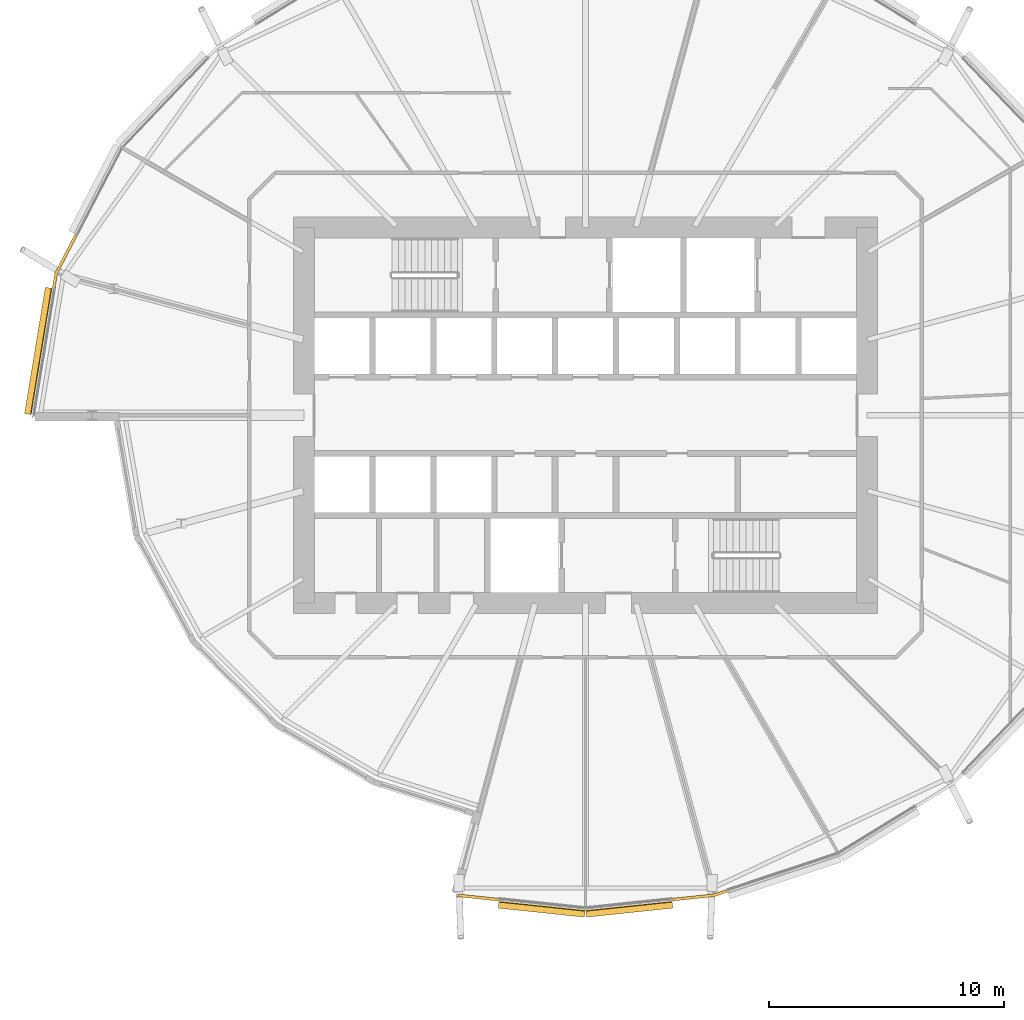
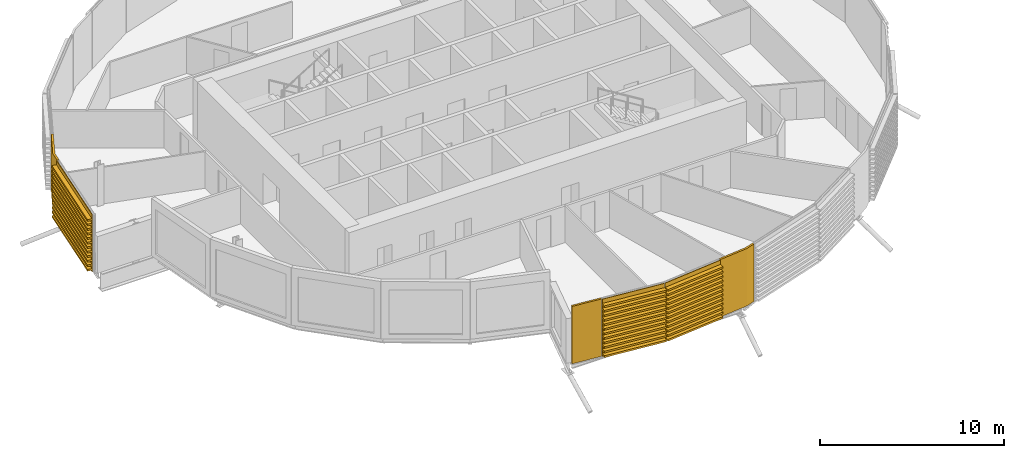
# One storey, part 32 of 38: 6 coverings.
"""IFC4 building model written with IfcOpenShell, lengths in metres."""

import ifcopenshell
import ifcopenshell.guid

model = None  # the IFC model being written
_history = None  # IfcOwnerHistory: only IFC2X3 demands one
_inside = {}  # id of a spatial element -> (the spatial element, [elements in it])
_under = {}  # id of a project, library or spatial element -> (it, [spatial elements below it])
_declared = {}  # id of a project -> (the project, [libraries it declares])
_typed = {}  # id of a type object -> (the type object, [elements of that type])
_made_of = {}  # id of a material, layer set ... -> (it, [elements and type objects made of it])


def new_model(schema):
    """Start an empty IFC model of exactly this schema.

    Asked for "IFC4X3", IfcOpenShell would pick the latest addendum, in which some entities
    have other attributes; the version numbers below select the first issue.
    IFC2X3 requires an IfcOwnerHistory on every rooted entity: one is made here for all.
    """
    global model, _history
    if schema == "IFC4X3":
        model = ifcopenshell.file(schema_version=(4, 3, 0, 0))
    else:
        model = ifcopenshell.file(schema=schema)
    _inside.clear()
    _under.clear()
    _declared.clear()
    _typed.clear()
    _made_of.clear()
    _history = None
    if model.schema == "IFC2X3":
        org = make("IfcOrganization", Name="unknown")
        user = make(
            "IfcPersonAndOrganization",
            ThePerson=make("IfcPerson", FamilyName="unknown"),
            TheOrganization=org,
        )
        app = make(
            "IfcApplication",
            ApplicationDeveloper=org,
            Version="unknown",
            ApplicationFullName="unknown",
            ApplicationIdentifier="unknown",
        )
        _history = make(
            "IfcOwnerHistory",
            OwningUser=user,
            OwningApplication=app,
            ChangeAction="ADDED",
            CreationDate=0,
        )
    return model


def make(cls, **values):
    """One entity of the class cls with the attributes given. An attribute that is None is left unset."""
    return model.create_entity(
        cls, **{name: value for name, value in values.items() if value is not None}
    )


def rooted(cls, **values):
    """An entity with a GlobalId (a new one), such as an element, a storey or a relation."""
    return make(cls, GlobalId=ifcopenshell.guid.new(), OwnerHistory=_history, **values)


def si_unit(unit_type, name, prefix=None):
    """IfcSIUnit, for example si_unit("LENGTHUNIT", "METRE", prefix="MILLI")."""
    return make("IfcSIUnit", UnitType=unit_type, Prefix=prefix, Name=name)


def assignment(units):
    """IfcUnitAssignment: the units of a project."""
    return None if units is None else make("IfcUnitAssignment", Units=units)


def point(xyz):
    """IfcCartesianPoint."""
    return None if xyz is None else make("IfcCartesianPoint", Coordinates=xyz)


def direction(xyz):
    """IfcDirection."""
    return None if xyz is None else make("IfcDirection", DirectionRatios=xyz)


def frame(location, z_axis=None, x_axis=None):
    """IfcAxis2Placement3D, a coordinate frame: its origin and axes. An axis left out is left unset."""
    return make(
        "IfcAxis2Placement3D",
        Location=point(location),
        Axis=direction(z_axis),
        RefDirection=direction(x_axis),
    )


def origin():
    """The frame at (0, 0, 0) with its axes left unset."""
    return frame((0.0, 0.0, 0.0))


def place(relative_to, where):
    """IfcLocalPlacement: puts the frame where relative to a parent placement (None: the world)."""
    return make(
        "IfcLocalPlacement", PlacementRelTo=relative_to, RelativePlacement=where
    )


def context(
    kind, dimensions, precision=None, world=None, true_north=None, identifier=None
):
    """IfcGeometricRepresentationContext, for example the 3D "Model" context."""
    return make(
        "IfcGeometricRepresentationContext",
        ContextIdentifier=identifier,
        ContextType=kind,
        CoordinateSpaceDimension=dimensions,
        Precision=precision,
        WorldCoordinateSystem=world,
        TrueNorth=true_north,
    )


def subcontext(parent, identifier, kind, view, scale=None):
    """IfcGeometricRepresentationSubContext, for example "Body" below "Model"."""
    return make(
        "IfcGeometricRepresentationSubContext",
        ContextIdentifier=identifier,
        ContextType=kind,
        ParentContext=parent,
        TargetScale=scale,
        TargetView=view,
    )


def project(units=None, contexts=None):
    """IfcProject with its units and contexts."""
    return rooted(
        "IfcProject",
        Name="project",
        RepresentationContexts=contexts,
        UnitsInContext=assignment(units),
    )


def spatial(cls, under=None, at=None, **own):
    """A site, building, storey or space (cls), placed at a placement, below another one or the project."""
    s = rooted(cls, ObjectPlacement=at, **own)
    if under is not None:
        _under.setdefault(under.id(), (under, []))[1].append(s)
    return s


def polyline(points):
    """IfcPolyline through the points."""
    return make("IfcPolyline", Points=[point(p) for p in points])


def outline(outer, holes=None, kind="AREA"):
    """IfcArbitraryClosedProfileDef: a profile drawn as a closed curve; with holes, ...WithVoids."""
    if holes is None:
        return make("IfcArbitraryClosedProfileDef", ProfileType=kind, OuterCurve=outer)
    return make(
        "IfcArbitraryProfileDefWithVoids",
        ProfileType=kind,
        OuterCurve=outer,
        InnerCurves=holes,
    )


def extrude(swept, where, along, depth):
    """IfcExtrudedAreaSolid: the profile swept, set in the frame where, extruded along a direction by depth."""
    return make(
        "IfcExtrudedAreaSolid",
        SweptArea=swept,
        Position=where,
        ExtrudedDirection=direction(along),
        Depth=depth,
    )


def shape(context_of_items, identifier, shape_type, items):
    """IfcShapeRepresentation: the items that make up one representation, for example the "Body"."""
    return make(
        "IfcShapeRepresentation",
        ContextOfItems=context_of_items,
        RepresentationIdentifier=identifier,
        RepresentationType=shape_type,
        Items=items,
    )


def material(Name=None, Category=None):
    """IfcMaterial."""
    return make("IfcMaterial", Name=Name, Category=Category)


def layer(
    of_material, thickness, ventilated=None, Name=None, Category=None, Priority=None
):
    """IfcMaterialLayer: one layer of a wall or slab, of a material (None: an air gap)."""
    return make(
        "IfcMaterialLayer",
        Material=of_material,
        LayerThickness=thickness,
        IsVentilated=ventilated,
        Name=Name,
        Category=Category,
        Priority=Priority,
    )


def layer_set(layers, Name=None):
    """IfcMaterialLayerSet."""
    return make("IfcMaterialLayerSet", MaterialLayers=layers, LayerSetName=Name)


def material_profile(
    of_material, cross_section, Name=None, Category=None, Priority=None
):
    """IfcMaterialProfile: a cross section and its material."""
    return make(
        "IfcMaterialProfile",
        Name=Name,
        Material=of_material,
        Profile=cross_section,
        Priority=Priority,
        Category=Category,
    )


def profile_set(profiles, Name=None, composite=None):
    """IfcMaterialProfileSet."""
    return make(
        "IfcMaterialProfileSet",
        Name=Name,
        MaterialProfiles=profiles,
        CompositeProfile=composite,
    )


def made_of(thing, what):
    """Note that an element or type object is made of a material, layer set ...; save() writes the relation."""
    if what is not None:
        _made_of.setdefault(what.id(), (what, []))[1].append(thing)
    return thing


def type_object(cls, material=None, **own):
    """A type object (cls), such as IfcWallType, which elements share."""
    return made_of(rooted(cls, **own), material)


def element(
    cls,
    number,
    at=None,
    inside=None,
    cuts=None,
    type_object=None,
    material=None,
    context=None,
    identifier="Body",
    shape_type=None,
    held_by="IfcProductDefinitionShape",
    body=None,
    shapes=None,
    **own,
):
    """One element of the class cls, such as IfcWall. Its Tag is "e" and its number.

    at: its placement. inside: the storey or other place that contains it. cuts: it is an
    opening in that element (IfcRelVoidsElement). A single representation is given by context,
    identifier, shape_type and body (its items); several are given by shapes. held_by: the class
    of the entity that holds the representations. save() writes the other relations.
    """
    e = rooted(cls, Tag="e%d" % number, ObjectPlacement=at, **own)
    if body is not None:
        shapes = [shape(context, identifier, shape_type, body)]
    if shapes is not None:
        e.Representation = make(held_by, Representations=shapes)
    if inside is not None:
        _inside.setdefault(inside.id(), (inside, []))[1].append(e)
    if cuts is not None:
        rooted(
            "IfcRelVoidsElement", RelatingBuildingElement=cuts, RelatedOpeningElement=e
        )
    if type_object is not None:
        _typed.setdefault(type_object.id(), (type_object, []))[1].append(e)
    return made_of(e, material)


def aggregate(whole, parts):
    """IfcRelAggregates: a whole, such as a stair, and the parts it consists of."""
    return rooted("IfcRelAggregates", RelatingObject=whole, RelatedObjects=parts)


def save(model, path):
    """Write the relations noted so far, then the file.

    IfcRelAggregates (storeys below a building ...), IfcRelContainedInSpatialStructure (elements
    in a storey), IfcRelDefinesByType, IfcRelAssociatesMaterial and IfcRelDeclares: one each for
    every whole, place, type object, material and project.
    """
    for whole, parts in _under.values():
        aggregate(whole, parts)
    for where, things in _inside.values():
        rooted(
            "IfcRelContainedInSpatialStructure",
            RelatedElements=things,
            RelatingStructure=where,
        )
    for kind, things in _typed.values():
        rooted("IfcRelDefinesByType", RelatedObjects=things, RelatingType=kind)
    for what, things in _made_of.values():
        rooted("IfcRelAssociatesMaterial", RelatedObjects=things, RelatingMaterial=what)
    for by, libraries in _declared.values():
        rooted("IfcRelDeclares", RelatingContext=by, RelatedDefinitions=libraries)
    model.write(path)


model = new_model("IFC4")

# Units and contexts
model_context = context("Model", 3, precision=1e-05, world=origin(), true_north=direction((0.0, 1.0)))
body_context = subcontext(model_context, "Body", "Model", "MODEL_VIEW")
ifc_project = project(units=[si_unit("LENGTHUNIT", "METRE"), si_unit("AREAUNIT", "SQUARE_METRE"), si_unit("VOLUMEUNIT", "CUBIC_METRE"), si_unit("PLANEANGLEUNIT", "RADIAN"), si_unit("MASSUNIT", "GRAM", prefix="KILO")], contexts=[model_context])

# Site, building, storey
site_placement = place(None, origin())
site = spatial("IfcSite", under=ifc_project, at=site_placement, CompositionType="ELEMENT")
building_placement = place(site_placement, origin())
building = spatial("IfcBuilding", under=site, at=building_placement, Name="Rimbun Link Towers", CompositionType="ELEMENT")
storey_placement = place(building_placement, frame((0.0, 0.0, 68.0)))
storey = spatial("IfcBuildingStorey", under=building, at=storey_placement, Name="L16", CompositionType="ELEMENT", Elevation=68.0)

# Coverings
ifc_material_1 = material(Name="Terracotta", Category="masonry")
ifc_layer = layer(ifc_material_1, 0.1201171875)
ifc_layer_set = layer_set([ifc_layer], Name="LINK PIER terracotta cladding 120")
covering_type_1 = type_object("IfcCoveringType", Name="LINK PIER terracotta cladding 120", PredefinedType="CLADDING", material=ifc_layer_set)
covering_1_placement = place(storey_placement, origin())
element("IfcCovering", 1, at=covering_1_placement, inside=storey, type_object=covering_type_1, Name="LINK PIER cladding", PredefinedType="CLADDING", context=body_context, shape_type="SweptSolid", body=[
    extrude(outline(polyline([(-54.353515625, 5.417724609375), (-54.252685546875, 6.029541015625), (-53.41650390625, 7.64599609375), (-53.52294921875, 7.701171875), (-54.3681640625, 6.06787109375), (-54.471923828125, 5.437255859375), (-54.353515625, 5.417724609375)])), origin(), (0.0, 0.0, 1.0), 3.800048828125),
])
covering_2_placement = place(storey_placement, origin())
element("IfcCovering", 2, at=covering_2_placement, inside=storey, type_object=covering_type_1, Name="LINK PIER cladding", PredefinedType="CLADDING", context=body_context, shape_type="SweptSolid", body=[
    extrude(outline(polyline([(-35.456298828125, -20.586669921875), (-37.186767578125, -20.404541015625), (-37.19921875, -20.523681640625), (-35.46875, -20.7060546875), (-35.456298828125, -20.586669921875)])), origin(), (0.0, 0.0, 1.0), 3.800048828125),
])
covering_3_placement = place(storey_placement, origin())
element("IfcCovering", 3, at=covering_3_placement, inside=storey, type_object=covering_type_1, Name="LINK PIER cladding", PredefinedType="CLADDING", context=body_context, shape_type="SweptSolid", body=[
    extrude(outline(polyline([(-25.742431640625, -20.221923828125), (-26.283447265625, -20.4013671875), (-28.043701171875, -20.586669921875), (-28.03125, -20.7060546875), (-26.258056640625, -20.519287109375), (-25.70458984375, -20.3359375), (-25.742431640625, -20.221923828125)])), origin(), (0.0, 0.0, 1.0), 3.800048828125),
])
ifc_material_2 = material(Name="Terracotta", Category="masonry")
ifc_material_profile = material_profile(ifc_material_2, outline(polyline([(0.123046875, 0.0), (0.1630859375, 0.0), (0.1630859375, 0.10009765625), (0.423095703125, 0.10009765625), (0.423095703125, 0.219970703125), (0.1630859375, 0.219970703125), (0.1630859375, 0.39990234375), (0.423095703125, 0.39990234375), (0.423095703125, 0.52001953125), (0.1630859375, 0.52001953125), (0.1630859375, 0.699951171875), (0.423095703125, 0.699951171875), (0.423095703125, 0.820068359375), (0.1630859375, 0.820068359375), (0.1630859375, 1.0), (0.423095703125, 1.0), (0.423095703125, 1.1201171875), (0.1630859375, 1.1201171875), (0.1630859375, 1.300048828125), (0.423095703125, 1.300048828125), (0.423095703125, 1.419921875), (0.1630859375, 1.419921875), (0.1630859375, 1.60009765625), (0.423095703125, 1.60009765625), (0.423095703125, 1.719970703125), (0.1630859375, 1.719970703125), (0.1630859375, 1.89990234375), (0.423095703125, 1.89990234375), (0.423095703125, 2.02001953125), (0.1630859375, 2.02001953125), (0.1630859375, 2.199951171875), (0.423095703125, 2.199951171875), (0.423095703125, 2.320068359375), (0.1630859375, 2.320068359375), (0.1630859375, 2.5), (0.423095703125, 2.5), (0.423095703125, 2.6201171875), (0.1630859375, 2.6201171875), (0.1630859375, 2.800048828125), (0.423095703125, 2.800048828125), (0.423095703125, 2.919921875), (0.1630859375, 2.919921875), (0.1630859375, 3.10009765625), (0.423095703125, 3.10009765625), (0.423095703125, 3.219970703125), (0.1630859375, 3.219970703125), (0.1630859375, 3.39990234375), (0.423095703125, 3.39990234375), (0.423095703125, 3.52001953125), (0.1630859375, 3.52001953125), (0.1630859375, 3.800048828125), (0.123046875, 3.800048828125), (0.123046875, 0.0)])), Name="BAGUETTE 120X300")
ifc_profile_set = profile_set([ifc_material_profile], Name="Terracotta")
covering_type_2 = type_object("IfcCoveringType", Name="TERRACOTTA BAGUETTE 120X300 H3800", PredefinedType="CLADDING", material=ifc_profile_set)
covering_4_placement = place(storey_placement, frame((-55.244384765625, 0.0, 0.0), z_axis=(0.162296051621, 0.98674210999, 0.0), x_axis=(-0.98674210999, 0.162296051621, 0.0)))
element("IfcCovering", 4, at=covering_4_placement, inside=storey, type_object=covering_type_2, Name="TERRACOTTA BAGUETTE", PredefinedType="CLADDING", context=body_context, shape_type="SweptSolid", body=[
    extrude(outline(polyline([(0.123046875, 0.0), (0.1630859375, 0.0), (0.1630859375, 0.10009765625), (0.423095703125, 0.10009765625), (0.423095703125, 0.219970703125), (0.1630859375, 0.219970703125), (0.1630859375, 0.39990234375), (0.423095703125, 0.39990234375), (0.423095703125, 0.52001953125), (0.1630859375, 0.52001953125), (0.1630859375, 0.699951171875), (0.423095703125, 0.699951171875), (0.423095703125, 0.820068359375), (0.1630859375, 0.820068359375), (0.1630859375, 1.0), (0.423095703125, 1.0), (0.423095703125, 1.1201171875), (0.1630859375, 1.1201171875), (0.1630859375, 1.300048828125), (0.423095703125, 1.300048828125), (0.423095703125, 1.419921875), (0.1630859375, 1.419921875), (0.1630859375, 1.60009765625), (0.423095703125, 1.60009765625), (0.423095703125, 1.719970703125), (0.1630859375, 1.719970703125), (0.1630859375, 1.89990234375), (0.423095703125, 1.89990234375), (0.423095703125, 2.02001953125), (0.1630859375, 2.02001953125), (0.1630859375, 2.199951171875), (0.423095703125, 2.199951171875), (0.423095703125, 2.320068359375), (0.1630859375, 2.320068359375), (0.1630859375, 2.5), (0.423095703125, 2.5), (0.423095703125, 2.6201171875), (0.1630859375, 2.6201171875), (0.1630859375, 2.800048828125), (0.423095703125, 2.800048828125), (0.423095703125, 2.919921875), (0.1630859375, 2.919921875), (0.1630859375, 3.10009765625), (0.423095703125, 3.10009765625), (0.423095703125, 3.219970703125), (0.1630859375, 3.219970703125), (0.1630859375, 3.39990234375), (0.423095703125, 3.39990234375), (0.423095703125, 3.52001953125), (0.1630859375, 3.52001953125), (0.1630859375, 3.800048828125), (0.123046875, 3.800048828125), (0.123046875, 0.0)])), origin(), (0.0, 0.0, 1.0), 5.460693359375),
])
for number, where, z_axis, x_axis, name in (
    (5, (-31.75, -20.97705078125, 0.0), (-0.994499661573, 0.104739787719, 0.0), (-0.104739787719, -0.994499661573, 0.0), "TERRACOTTA BAGUETTE"),
    (6, (-28.073486328125, -20.58984375, 0.0), (-0.994499661573, -0.104739787719, 0.0), (0.104739787719, -0.994499661573, 0.0), "TERRACOTTA BAGUETTE"),
):
    element("IfcCovering", number, at=place(storey_placement, frame(where, z_axis=z_axis, x_axis=x_axis)), inside=storey, type_object=covering_type_2, Name=name, PredefinedType="CLADDING", context=body_context, shape_type="SweptSolid", body=[
        extrude(outline(polyline([(0.123046875, 0.0), (0.1630859375, 0.0), (0.1630859375, 0.10009765625), (0.423095703125, 0.10009765625), (0.423095703125, 0.219970703125), (0.1630859375, 0.219970703125), (0.1630859375, 0.39990234375), (0.423095703125, 0.39990234375), (0.423095703125, 0.52001953125), (0.1630859375, 0.52001953125), (0.1630859375, 0.699951171875), (0.423095703125, 0.699951171875), (0.423095703125, 0.820068359375), (0.1630859375, 0.820068359375), (0.1630859375, 1.0), (0.423095703125, 1.0), (0.423095703125, 1.1201171875), (0.1630859375, 1.1201171875), (0.1630859375, 1.300048828125), (0.423095703125, 1.300048828125), (0.423095703125, 1.419921875), (0.1630859375, 1.419921875), (0.1630859375, 1.60009765625), (0.423095703125, 1.60009765625), (0.423095703125, 1.719970703125), (0.1630859375, 1.719970703125), (0.1630859375, 1.89990234375), (0.423095703125, 1.89990234375), (0.423095703125, 2.02001953125), (0.1630859375, 2.02001953125), (0.1630859375, 2.199951171875), (0.423095703125, 2.199951171875), (0.423095703125, 2.320068359375), (0.1630859375, 2.320068359375), (0.1630859375, 2.5), (0.423095703125, 2.5), (0.423095703125, 2.6201171875), (0.1630859375, 2.6201171875), (0.1630859375, 2.800048828125), (0.423095703125, 2.800048828125), (0.423095703125, 2.919921875), (0.1630859375, 2.919921875), (0.1630859375, 3.10009765625), (0.423095703125, 3.10009765625), (0.423095703125, 3.219970703125), (0.1630859375, 3.219970703125), (0.1630859375, 3.39990234375), (0.423095703125, 3.39990234375), (0.423095703125, 3.52001953125), (0.1630859375, 3.52001953125), (0.1630859375, 3.800048828125), (0.123046875, 3.800048828125), (0.123046875, 0.0)])), origin(), (0.0, 0.0, 1.0), 3.69677734375),
    ])

save(model, "model.ifc")
